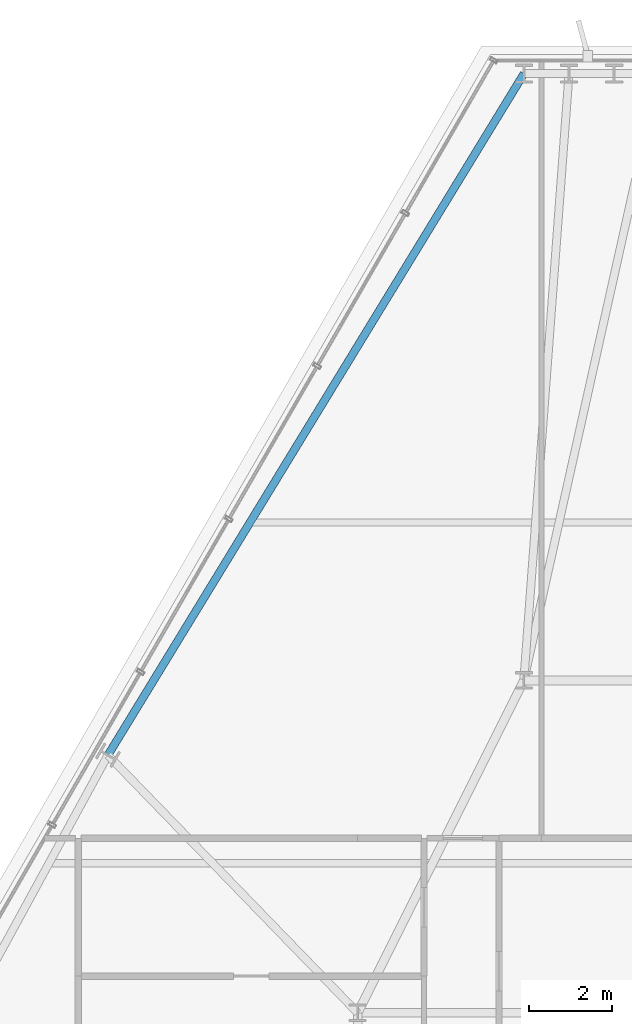
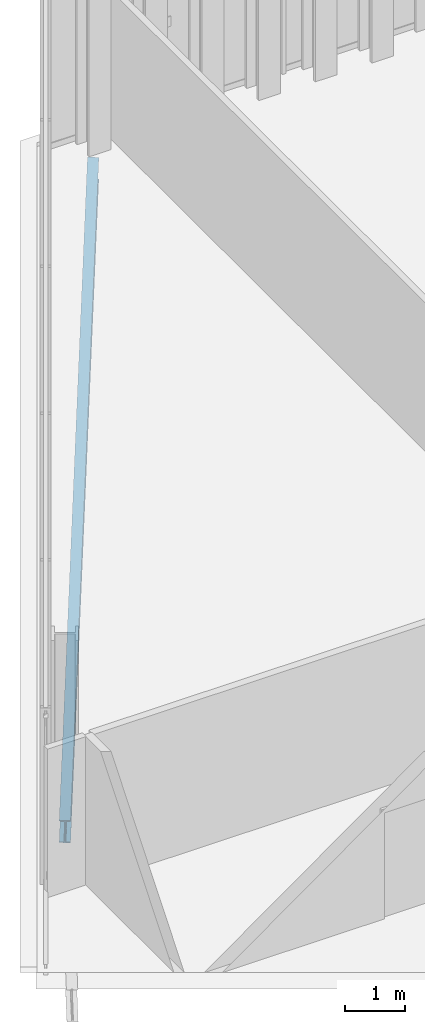
# One storey, part 20 of 34: 1 beam.
"""IFC4 building model written with IfcOpenShell, lengths in metres."""

from ifc_helpers import new_model, si_unit, direction, frame, origin, origin_2d, place, context, subcontext, project, spatial, i_section, extrude, material, material_profile, profile_set, type_object, element, save


model = new_model("IFC4")

# Units and contexts
model_context = context("Model", 3, precision=1e-05, world=origin(), true_north=direction((0.0, 1.0)))
body_context = subcontext(model_context, "Body", "Model", "MODEL_VIEW")
ifc_project = project(units=[si_unit("LENGTHUNIT", "METRE"), si_unit("AREAUNIT", "SQUARE_METRE"), si_unit("VOLUMEUNIT", "CUBIC_METRE"), si_unit("PLANEANGLEUNIT", "RADIAN"), si_unit("MASSUNIT", "GRAM", prefix="KILO")], contexts=[model_context])

# Site, building, storey
site_placement = place(None, origin())
site = spatial("IfcSite", under=ifc_project, at=site_placement, CompositionType="ELEMENT")
building_placement = place(site_placement, origin())
building = spatial("IfcBuilding", under=site, at=building_placement, Name="Ndaravel Arena Tower", CompositionType="ELEMENT")
storey_placement = place(building_placement, frame((0.0, 0.0, 191.60009765625)))
storey = spatial("IfcBuildingStorey", under=building, at=storey_placement, Name="L46", CompositionType="ELEMENT", Elevation=191.60009765625)

# Beam
ifc_material = material(Name="Steel S355", Category="steel")
ifc_material_profile = material_profile(ifc_material, i_section(OverallWidth=0.18994140625, OverallDepth=0.449951171875, WebThickness=0.009521484375, FlangeThickness=0.0146484375, FilletRadius=0.02099609375, at=origin_2d()), Name="IPE 450")
ifc_profile_set = profile_set([ifc_material_profile], Name="Steel S355")
beam_type = type_object("IfcBeamType", Name="BM-SPAN-IPE450", PredefinedType="SPANDREL", material=ifc_profile_set)
beam_placement = place(storey_placement, frame((38.2041015625, 45.805908203125, -0.445068359375), z_axis=(-0.521020418389, -0.853544213045, 0.0), x_axis=(0.853544213045, -0.521020418389, 0.0)))
element("IfcBeam", 1, at=beam_placement, inside=storey, type_object=beam_type, Name="L46 Perimeter Spandrel Beam SP-18", PredefinedType="SPANDREL", context=body_context, shape_type="SweptSolid", body=[
    extrude(i_section(OverallWidth=0.18994140625, OverallDepth=0.449951171875, WebThickness=0.009521484375, FlangeThickness=0.0146484375, FilletRadius=0.02099609375, at=origin_2d()), origin(), (0.0, 0.0, 1.0), 19.220703125),
])

save(model, "model.ifc")
